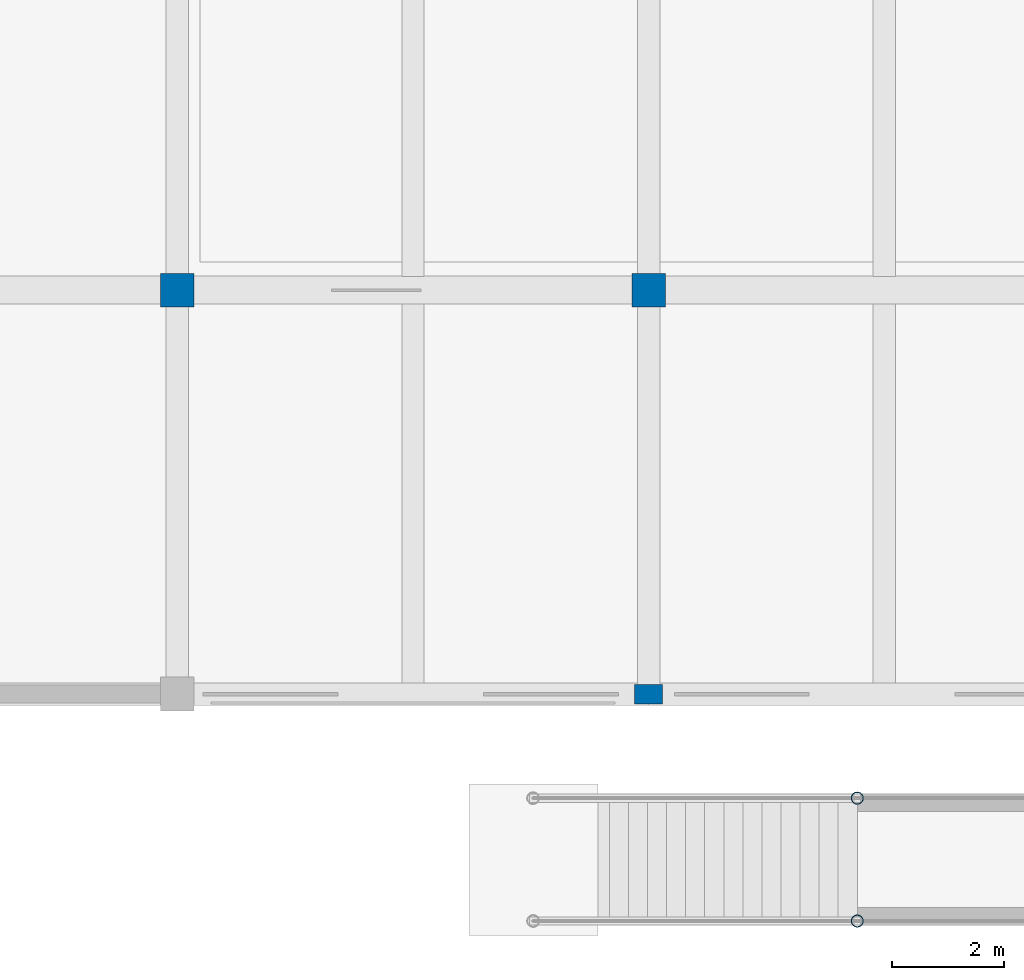
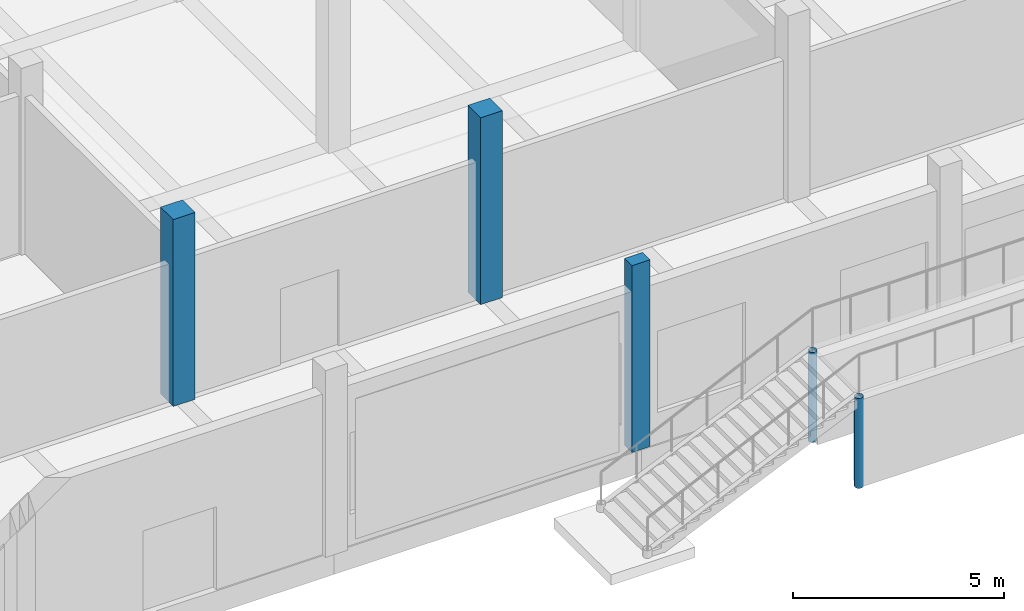
# One storey, part 2 of 41: 5 columns.
"""IFC4 building model written with IfcOpenShell, lengths in metres."""

import ifcopenshell
import ifcopenshell.guid

model = None  # the IFC model being written
_history = None  # IfcOwnerHistory: only IFC2X3 demands one
_inside = {}  # id of a spatial element -> (the spatial element, [elements in it])
_under = {}  # id of a project, library or spatial element -> (it, [spatial elements below it])
_declared = {}  # id of a project -> (the project, [libraries it declares])
_typed = {}  # id of a type object -> (the type object, [elements of that type])
_made_of = {}  # id of a material, layer set ... -> (it, [elements and type objects made of it])


def new_model(schema):
    """Start an empty IFC model of exactly this schema.

    Asked for "IFC4X3", IfcOpenShell would pick the latest addendum, in which some entities
    have other attributes; the version numbers below select the first issue.
    IFC2X3 requires an IfcOwnerHistory on every rooted entity: one is made here for all.
    """
    global model, _history
    if schema == "IFC4X3":
        model = ifcopenshell.file(schema_version=(4, 3, 0, 0))
    else:
        model = ifcopenshell.file(schema=schema)
    _inside.clear()
    _under.clear()
    _declared.clear()
    _typed.clear()
    _made_of.clear()
    _history = None
    if model.schema == "IFC2X3":
        org = make("IfcOrganization", Name="unknown")
        user = make(
            "IfcPersonAndOrganization",
            ThePerson=make("IfcPerson", FamilyName="unknown"),
            TheOrganization=org,
        )
        app = make(
            "IfcApplication",
            ApplicationDeveloper=org,
            Version="unknown",
            ApplicationFullName="unknown",
            ApplicationIdentifier="unknown",
        )
        _history = make(
            "IfcOwnerHistory",
            OwningUser=user,
            OwningApplication=app,
            ChangeAction="ADDED",
            CreationDate=0,
        )
    return model


def make(cls, **values):
    """One entity of the class cls with the attributes given. An attribute that is None is left unset."""
    return model.create_entity(
        cls, **{name: value for name, value in values.items() if value is not None}
    )


def rooted(cls, **values):
    """An entity with a GlobalId (a new one), such as an element, a storey or a relation."""
    return make(cls, GlobalId=ifcopenshell.guid.new(), OwnerHistory=_history, **values)


def si_unit(unit_type, name, prefix=None):
    """IfcSIUnit, for example si_unit("LENGTHUNIT", "METRE", prefix="MILLI")."""
    return make("IfcSIUnit", UnitType=unit_type, Prefix=prefix, Name=name)


def assignment(units):
    """IfcUnitAssignment: the units of a project."""
    return None if units is None else make("IfcUnitAssignment", Units=units)


def point(xyz):
    """IfcCartesianPoint."""
    return None if xyz is None else make("IfcCartesianPoint", Coordinates=xyz)


def direction(xyz):
    """IfcDirection."""
    return None if xyz is None else make("IfcDirection", DirectionRatios=xyz)


def frame(location, z_axis=None, x_axis=None):
    """IfcAxis2Placement3D, a coordinate frame: its origin and axes. An axis left out is left unset."""
    return make(
        "IfcAxis2Placement3D",
        Location=point(location),
        Axis=direction(z_axis),
        RefDirection=direction(x_axis),
    )


def frame_2d(location, x_axis=None):
    """IfcAxis2Placement2D, a coordinate frame in the plane: its origin and x axis."""
    return make(
        "IfcAxis2Placement2D", Location=point(location), RefDirection=direction(x_axis)
    )


def origin():
    """The frame at (0, 0, 0) with its axes left unset."""
    return frame((0.0, 0.0, 0.0))


def origin_2d():
    """The frame at (0, 0) in the plane with its x axis left unset."""
    return frame_2d((0.0, 0.0))


def place(relative_to, where):
    """IfcLocalPlacement: puts the frame where relative to a parent placement (None: the world)."""
    return make(
        "IfcLocalPlacement", PlacementRelTo=relative_to, RelativePlacement=where
    )


def context(
    kind, dimensions, precision=None, world=None, true_north=None, identifier=None
):
    """IfcGeometricRepresentationContext, for example the 3D "Model" context."""
    return make(
        "IfcGeometricRepresentationContext",
        ContextIdentifier=identifier,
        ContextType=kind,
        CoordinateSpaceDimension=dimensions,
        Precision=precision,
        WorldCoordinateSystem=world,
        TrueNorth=true_north,
    )


def subcontext(parent, identifier, kind, view, scale=None):
    """IfcGeometricRepresentationSubContext, for example "Body" below "Model"."""
    return make(
        "IfcGeometricRepresentationSubContext",
        ContextIdentifier=identifier,
        ContextType=kind,
        ParentContext=parent,
        TargetScale=scale,
        TargetView=view,
    )


def project(units=None, contexts=None):
    """IfcProject with its units and contexts."""
    return rooted(
        "IfcProject",
        Name="project",
        RepresentationContexts=contexts,
        UnitsInContext=assignment(units),
    )


def spatial(cls, under=None, at=None, **own):
    """A site, building, storey or space (cls), placed at a placement, below another one or the project."""
    s = rooted(cls, ObjectPlacement=at, **own)
    if under is not None:
        _under.setdefault(under.id(), (under, []))[1].append(s)
    return s


def profile(cls, at=None, kind="AREA", **sizes):
    """A parametric profile (cls). Its sizes go by their IFC names, for example OverallWidth=200.0."""
    return make(cls, ProfileType=kind, Position=at, **sizes)


def rectangle(**sizes):
    """IfcRectangleProfileDef."""
    return profile("IfcRectangleProfileDef", **sizes)


def hollow_circle(**sizes):
    """IfcCircleHollowProfileDef."""
    return profile("IfcCircleHollowProfileDef", **sizes)


def extrude(swept, where, along, depth):
    """IfcExtrudedAreaSolid: the profile swept, set in the frame where, extruded along a direction by depth."""
    return make(
        "IfcExtrudedAreaSolid",
        SweptArea=swept,
        Position=where,
        ExtrudedDirection=direction(along),
        Depth=depth,
    )


def shape(context_of_items, identifier, shape_type, items):
    """IfcShapeRepresentation: the items that make up one representation, for example the "Body"."""
    return make(
        "IfcShapeRepresentation",
        ContextOfItems=context_of_items,
        RepresentationIdentifier=identifier,
        RepresentationType=shape_type,
        Items=items,
    )


def material(Name=None, Category=None):
    """IfcMaterial."""
    return make("IfcMaterial", Name=Name, Category=Category)


def material_profile(
    of_material, cross_section, Name=None, Category=None, Priority=None
):
    """IfcMaterialProfile: a cross section and its material."""
    return make(
        "IfcMaterialProfile",
        Name=Name,
        Material=of_material,
        Profile=cross_section,
        Priority=Priority,
        Category=Category,
    )


def profile_set(profiles, Name=None, composite=None):
    """IfcMaterialProfileSet."""
    return make(
        "IfcMaterialProfileSet",
        Name=Name,
        MaterialProfiles=profiles,
        CompositeProfile=composite,
    )


def made_of(thing, what):
    """Note that an element or type object is made of a material, layer set ...; save() writes the relation."""
    if what is not None:
        _made_of.setdefault(what.id(), (what, []))[1].append(thing)
    return thing


def type_object(cls, material=None, **own):
    """A type object (cls), such as IfcWallType, which elements share."""
    return made_of(rooted(cls, **own), material)


def element(
    cls,
    number,
    at=None,
    inside=None,
    cuts=None,
    type_object=None,
    material=None,
    context=None,
    identifier="Body",
    shape_type=None,
    held_by="IfcProductDefinitionShape",
    body=None,
    shapes=None,
    **own,
):
    """One element of the class cls, such as IfcWall. Its Tag is "e" and its number.

    at: its placement. inside: the storey or other place that contains it. cuts: it is an
    opening in that element (IfcRelVoidsElement). A single representation is given by context,
    identifier, shape_type and body (its items); several are given by shapes. held_by: the class
    of the entity that holds the representations. save() writes the other relations.
    """
    e = rooted(cls, Tag="e%d" % number, ObjectPlacement=at, **own)
    if body is not None:
        shapes = [shape(context, identifier, shape_type, body)]
    if shapes is not None:
        e.Representation = make(held_by, Representations=shapes)
    if inside is not None:
        _inside.setdefault(inside.id(), (inside, []))[1].append(e)
    if cuts is not None:
        rooted(
            "IfcRelVoidsElement", RelatingBuildingElement=cuts, RelatedOpeningElement=e
        )
    if type_object is not None:
        _typed.setdefault(type_object.id(), (type_object, []))[1].append(e)
    return made_of(e, material)


def aggregate(whole, parts):
    """IfcRelAggregates: a whole, such as a stair, and the parts it consists of."""
    return rooted("IfcRelAggregates", RelatingObject=whole, RelatedObjects=parts)


def save(model, path):
    """Write the relations noted so far, then the file.

    IfcRelAggregates (storeys below a building ...), IfcRelContainedInSpatialStructure (elements
    in a storey), IfcRelDefinesByType, IfcRelAssociatesMaterial and IfcRelDeclares: one each for
    every whole, place, type object, material and project.
    """
    for whole, parts in _under.values():
        aggregate(whole, parts)
    for where, things in _inside.values():
        rooted(
            "IfcRelContainedInSpatialStructure",
            RelatedElements=things,
            RelatingStructure=where,
        )
    for kind, things in _typed.values():
        rooted("IfcRelDefinesByType", RelatedObjects=things, RelatingType=kind)
    for what, things in _made_of.values():
        rooted("IfcRelAssociatesMaterial", RelatedObjects=things, RelatingMaterial=what)
    for by, libraries in _declared.values():
        rooted("IfcRelDeclares", RelatingContext=by, RelatedDefinitions=libraries)
    model.write(path)


model = new_model("IFC4")

# Units and contexts
model_context = context("Model", 3, precision=1e-05, world=origin(), true_north=direction((0.0, 1.0)))
body_context = subcontext(model_context, "Body", "Model", "MODEL_VIEW")
ifc_project = project(units=[si_unit("LENGTHUNIT", "METRE"), si_unit("AREAUNIT", "SQUARE_METRE"), si_unit("VOLUMEUNIT", "CUBIC_METRE"), si_unit("PLANEANGLEUNIT", "RADIAN"), si_unit("MASSUNIT", "GRAM", prefix="KILO")], contexts=[model_context])

# Site, building, storey
site_placement = place(None, origin())
site = spatial("IfcSite", under=ifc_project, at=site_placement, CompositionType="ELEMENT")
building_placement = place(site_placement, origin())
building = spatial("IfcBuilding", under=site, at=building_placement, Name="Kahlenmark Community Centre", CompositionType="ELEMENT")
storey_placement = place(building_placement, origin())
storey = spatial("IfcBuildingStorey", under=building, at=storey_placement, Name="L00", CompositionType="ELEMENT", Elevation=0.0)

# Columns
ifc_material_1 = material(Name="Concrete C35/45", Category="concrete")
ifc_material_profile_1 = material_profile(ifc_material_1, rectangle(XDim=0.5, YDim=0.35009765625, at=origin_2d()), Name="RC 500x350")
ifc_profile_set_1 = profile_set([ifc_material_profile_1], Name="Concrete C35/45")
column_type_1 = type_object("IfcColumnType", Name="CT-PIL500", PredefinedType="PILASTER", material=ifc_profile_set_1)
column_placement = place(storey_placement, frame((29.199951171875, 8.800048828125, 0.0), z_axis=(0.0, 0.0, 1.0), x_axis=(1.0, 0.0, 0.0)))
element("IfcColumn", 1, at=column_placement, inside=storey, type_object=column_type_1, Name="L00 pilaster (29.2, 8.8)", PredefinedType="PILASTER", context=body_context, shape_type="SweptSolid", body=[
    extrude(rectangle(XDim=0.5, YDim=0.35009765625, at=origin_2d()), origin(), (0.0, 0.0, 1.0), 5.39990234375),
])
ifc_material_profile_2 = material_profile(ifc_material_1, rectangle(XDim=0.60009765625, YDim=0.60009765625, at=origin_2d()), Name="RC 600x600")
ifc_profile_set_2 = profile_set([ifc_material_profile_2], Name="Concrete C35/45")
column_type_2 = type_object("IfcColumnType", Name="CT-RC600", PredefinedType="COLUMN", material=ifc_profile_set_2)
for number, where, z_axis, x_axis, name in (
    (2, (20.800048828125, 16.0, 0.0), (0.0, 0.0, 1.0), (1.0, 0.0, 0.0), "L00 column (20.8, 16.0)"),
    (3, (29.199951171875, 16.0, 0.0), (0.0, 0.0, 1.0), (1.0, 0.0, 0.0), "L00 column (29.2, 16.0)"),
):
    element("IfcColumn", number, at=place(storey_placement, frame(where, z_axis=z_axis, x_axis=x_axis)), inside=storey, type_object=column_type_2, Name=name, PredefinedType="COLUMN", context=body_context, shape_type="SweptSolid", body=[
        extrude(rectangle(XDim=0.60009765625, YDim=0.60009765625, at=origin_2d()), origin(), (0.0, 0.0, 1.0), 5.39990234375),
    ])
ifc_material_2 = material(Name="Steel S355", Category="steel")
ifc_material_profile_3 = material_profile(ifc_material_2, hollow_circle(Radius=0.109619140625, WallThickness=0.010009765625, at=origin_2d()), Name="CHS 219.1x10")
ifc_profile_set_3 = profile_set([ifc_material_profile_3], Name="Steel S355")
column_type_3 = type_object("IfcColumnType", Name="CT-ST09-CHS219", PredefinedType="COLUMN", material=ifc_profile_set_3)
for number, where, z_axis, x_axis, name in (
    (4, (32.919921875, 4.7548828125, 0.0), (0.0, 0.0, 1.0), (1.0, 0.0, 0.0), "Ceremonial stair pier column L00-3"),
    (5, (32.919921875, 6.945068359375, 0.0), (0.0, 0.0, 1.0), (1.0, 0.0, 0.0), "Ceremonial stair pier column L00-4"),
):
    element("IfcColumn", number, at=place(storey_placement, frame(where, z_axis=z_axis, x_axis=x_axis)), inside=storey, type_object=column_type_3, Name=name, PredefinedType="COLUMN", context=body_context, shape_type="SweptSolid", body=[
        extrude(hollow_circle(Radius=0.109619140625, WallThickness=0.010009765625, at=origin_2d()), origin(), (0.0, 0.0, 1.0), 2.60009765625),
    ])

save(model, "model.ifc")
